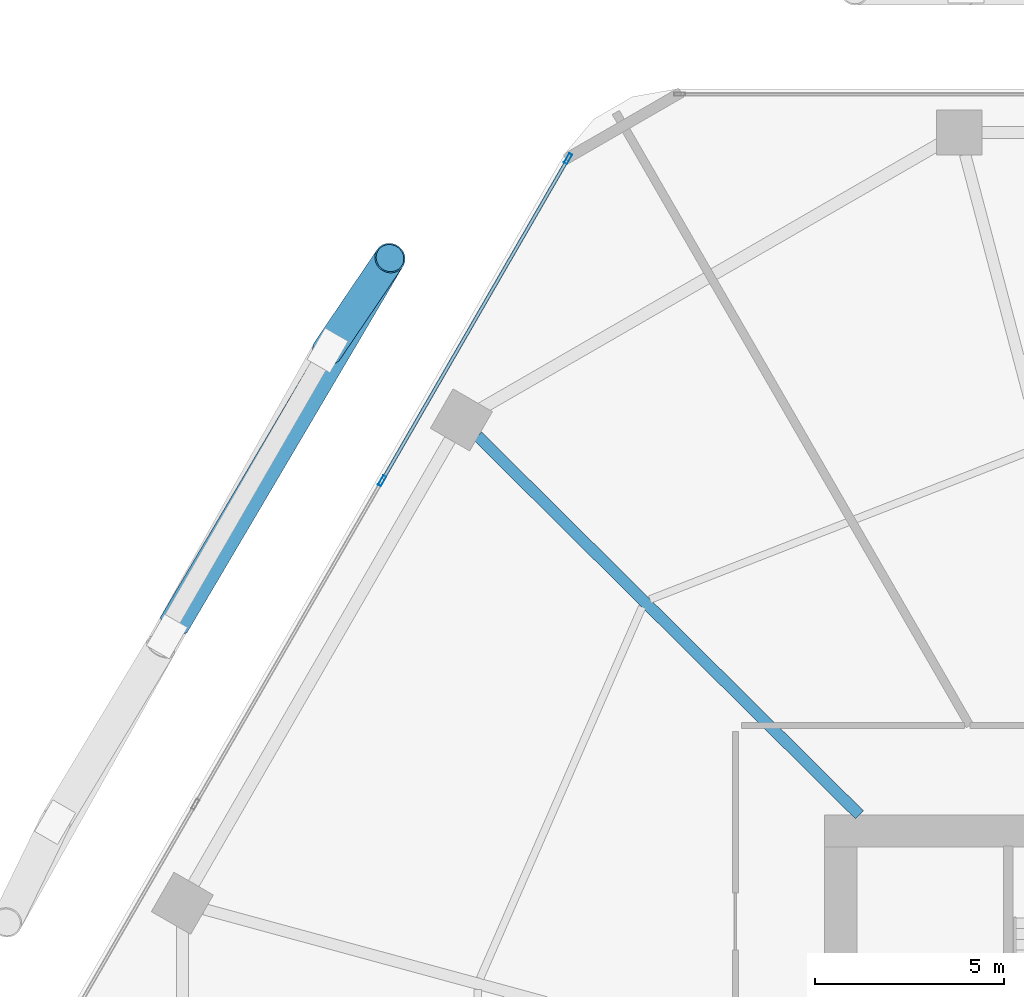
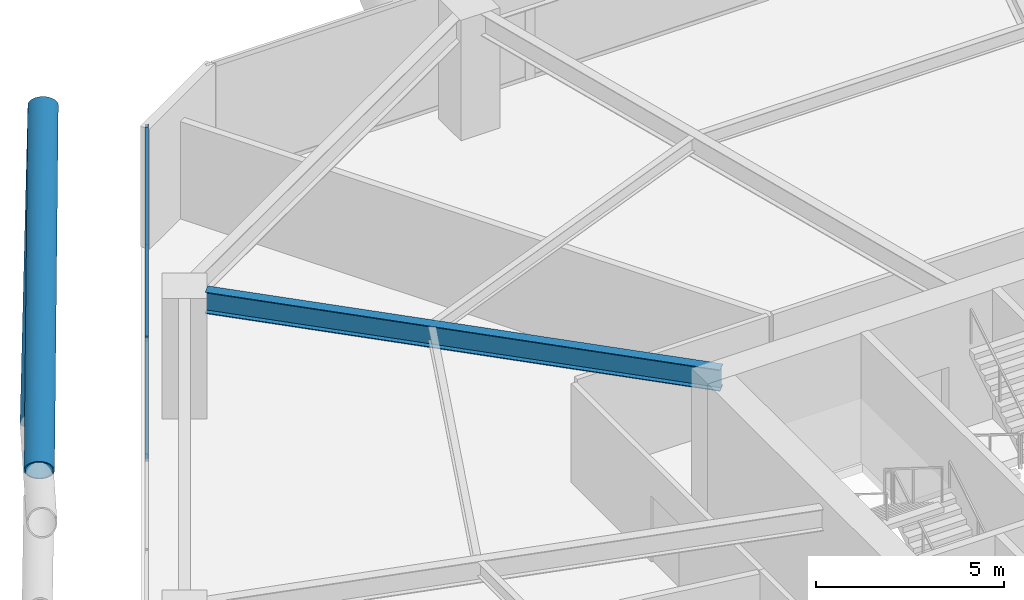
# One storey, part 15 of 28: 6 members, 1 beam, 1 element without a shape of its own.
"""IFC4 building model written with IfcOpenShell, lengths in metres."""

from ifc_helpers import new_model, si_unit, direction, frame, origin, origin_2d, place, context, subcontext, project, spatial, hollow_rectangle, hollow_circle, i_section, extrude, material, material_profile, profile_set, type_object, element, aggregate, save


model = new_model("IFC4")

# Units and contexts
model_context = context("Model", 3, precision=1e-05, world=origin(), true_north=direction((0.0, 1.0)))
body_context = subcontext(model_context, "Body", "Model", "MODEL_VIEW")
ifc_project = project(units=[si_unit("LENGTHUNIT", "METRE"), si_unit("AREAUNIT", "SQUARE_METRE"), si_unit("VOLUMEUNIT", "CUBIC_METRE"), si_unit("PLANEANGLEUNIT", "RADIAN"), si_unit("MASSUNIT", "GRAM", prefix="KILO")], contexts=[model_context])

# Site, building, storey
site_placement = place(None, origin())
site = spatial("IfcSite", under=ifc_project, at=site_placement, CompositionType="ELEMENT")
building_placement = place(site_placement, origin())
building = spatial("IfcBuilding", under=site, at=building_placement, Name="Zuhravey Tower", CompositionType="ELEMENT")
storey_placement = place(building_placement, frame((0.0, 0.0, 66.60009765625)))
storey = spatial("IfcBuildingStorey", under=building, at=storey_placement, Name="L16", CompositionType="ELEMENT", Elevation=66.60009765625)

# Curtain wall, members
ifc_material_1 = material(Name="Thermally broken anodised aluminium", Category="aluminium")
curtain_wall_type = type_object("IfcCurtainWallType", Name="School Low-E Unitised Curtain Wall CW1", PredefinedType="NOTDEFINED", material=ifc_material_1)
curtain_wall_placement = place(storey_placement, origin())
curtain_wall = element("IfcCurtainWall", 1, at=curtain_wall_placement, inside=storey, type_object=curtain_wall_type, Name="L16 CW1 CW-L16-F3-1", PredefinedType="NOTDEFINED")
ifc_material_2 = material(Name="Anodised aluminium", Category="aluminium")
ifc_material_profile_1 = material_profile(ifc_material_2, hollow_rectangle(XDim=0.090087890625, YDim=0.284912109375, WallThickness=0.0048828125, at=origin_2d()), Name="ALU-RHS-90x285x5")
ifc_profile_set_1 = profile_set([ifc_material_profile_1], Name="Anodised aluminium")
member_type_1 = type_object("IfcMemberType", Name="Curtain-Wall Mullion 90x180", PredefinedType="MULLION", material=ifc_profile_set_1)
member_1_placement = place(storey_placement, frame((13.387939453125, 50.75146484375, 0.0), z_axis=(0.0, 0.0, 1.0), x_axis=(-0.86602552265, 0.499999794119, 0.0)))
member_1 = element("IfcMember", 2, at=member_1_placement, type_object=member_type_1, Name="CW1 mullion 3", PredefinedType="MULLION", context=body_context, shape_type="SweptSolid", body=[
    extrude(hollow_rectangle(XDim=0.090087890625, YDim=0.284912109375, WallThickness=0.0048828125, at=origin_2d()), origin(), (0.0, 0.0, 1.0), 3.919921875),
])
member_2_placement = place(storey_placement, frame((18.298583984375, 59.257080078125, 0.0), z_axis=(0.0, 0.0, 1.0), x_axis=(-0.86602552265, 0.499999794119, 0.0)))
member_2 = element("IfcMember", 3, at=member_2_placement, type_object=member_type_1, Name="CW1 mullion 4", PredefinedType="MULLION", context=body_context, shape_type="SweptSolid", body=[
    extrude(hollow_rectangle(XDim=0.090087890625, YDim=0.284912109375, WallThickness=0.0048828125, at=origin_2d()), origin(), (0.0, 0.0, 1.0), 3.919921875),
])
ifc_material_profile_2 = material_profile(ifc_material_2, hollow_rectangle(XDim=0.090087890625, YDim=0.14990234375, WallThickness=0.0048828125, at=origin_2d()), Name="ALU-RHS-90x150x5")
ifc_profile_set_2 = profile_set([ifc_material_profile_2], Name="Anodised aluminium")
member_type_2 = type_object("IfcMemberType", Name="Curtain-Wall Transom 90x150", PredefinedType="USERDEFINED", material=ifc_profile_set_2)
member_3_placement = place(storey_placement, frame((13.410400390625, 50.79052734375, 0.044921875), z_axis=(0.499989576763, 0.86603142156, 0.0), x_axis=(-0.86603142156, 0.499989576763, 0.0)))
member_3 = element("IfcMember", 4, at=member_3_placement, type_object=member_type_2, Name="CW1 transom 3.1", ObjectType="TRANSOM", PredefinedType="USERDEFINED", context=body_context, shape_type="SweptSolid", body=[
    extrude(hollow_rectangle(XDim=0.090087890625, YDim=0.14990234375, WallThickness=0.0048828125, at=origin_2d()), origin(), (0.0, 0.0, 1.0), 9.731201171875),
])
member_4_placement = place(storey_placement, frame((13.410400390625, 50.79052734375, 3.875), z_axis=(0.499989576763, 0.86603142156, 0.0), x_axis=(-0.86603142156, 0.499989576763, 0.0)))
member_4 = element("IfcMember", 5, at=member_4_placement, type_object=member_type_2, Name="CW1 transom 3.2", ObjectType="TRANSOM", PredefinedType="USERDEFINED", context=body_context, shape_type="SweptSolid", body=[
    extrude(hollow_rectangle(XDim=0.090087890625, YDim=0.14990234375, WallThickness=0.0048828125, at=origin_2d()), origin(), (0.0, 0.0, 1.0), 9.731201171875),
])
aggregate(curtain_wall, [member_1, member_2, member_3, member_4])

# Members
ifc_material_3 = material(Name="Steel SM460", Category="steel")
ifc_material_profile_3 = material_profile(ifc_material_3, hollow_circle(Radius=0.406494140625, WallThickness=0.035888671875, at=origin_2d()), Name="CHS-812.8x36")
ifc_profile_set_3 = profile_set([ifc_material_profile_3], Name="Steel SM460")
member_type_3 = type_object("IfcMemberType", Name="Exoskeleton Zone 1 Diagrid CHS813x36", PredefinedType="BRACE", material=ifc_profile_set_3)
member_5_placement = place(storey_placement, frame((11.950439453125, 54.20068359375, -0.47216796875), z_axis=(0.185688463241, 0.274480408031, 0.943493667295), x_axis=(-0.828268651901, 0.560331188029, 0.0)))
element("IfcMember", 6, at=member_5_placement, inside=storey, type_object=member_type_3, Name="L16 Face 3 Diagrid Brace 1", PredefinedType="BRACE", context=body_context, shape_type="SweptSolid", body=[
    extrude(hollow_circle(Radius=0.406494140625, WallThickness=0.035888671875, at=origin_2d()), origin(), (0.0, 0.0, 1.0), 8.8564453125),
])
member_6_placement = place(storey_placement, frame((7.8935546875, 46.95849609375, 3.8408203125), z_axis=(0.477516005114, 0.810086450752, 0.340203479065), x_axis=(-0.861471644746, 0.50780567671, 0.0)))
element("IfcMember", 7, at=member_6_placement, inside=storey, type_object=member_type_3, Name="L16 Face 3 Split Diagrid Brace 3B", PredefinedType="BRACE", context=body_context, shape_type="SweptSolid", body=[
    extrude(hollow_circle(Radius=0.406494140625, WallThickness=0.035888671875, at=origin_2d()), origin(), (0.0, 0.0, 1.0), 11.8984375),
])

# Beam
ifc_material_4 = material(Name="Steel SM355", Category="steel")
ifc_material_profile_4 = material_profile(ifc_material_4, i_section(OverallWidth=0.300048828125, OverallDepth=0.699951171875, WebThickness=0.012939453125, FlangeThickness=0.02392578125, at=origin_2d()), Name="H-700x300x13x24")
ifc_profile_set_4 = profile_set([ifc_material_profile_4], Name="Steel SM355")
beam_type = type_object("IfcBeamType", Name="Radial Primary Girder H700x300", PredefinedType="BEAM", material=ifc_profile_set_4)
beam_placement = place(storey_placement, frame((25.992919921875, 41.927978515625, 3.56982421875), z_axis=(-0.709902823282, 0.704299639, 0.0), x_axis=(-0.704299639, -0.709902823282, 0.0)))
element("IfcBeam", 8, at=beam_placement, inside=storey, type_object=beam_type, Name="L16 RG1 BM-L16-RAD-05", PredefinedType="BEAM", context=body_context, shape_type="SweptSolid", body=[
    extrude(i_section(OverallWidth=0.300048828125, OverallDepth=0.699951171875, WebThickness=0.012939453125, FlangeThickness=0.02392578125, at=origin_2d()), origin(), (0.0, 0.0, 1.0), 14.204345703125),
])

save(model, "model.ifc")
